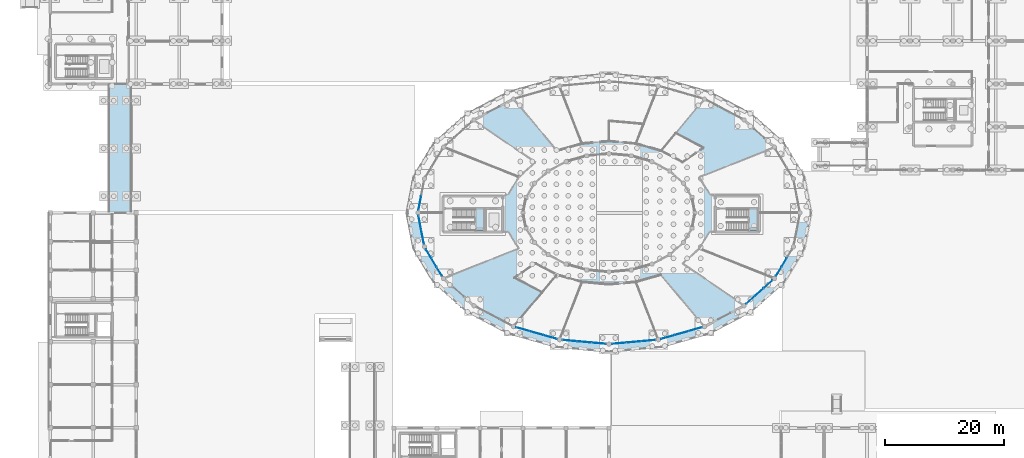
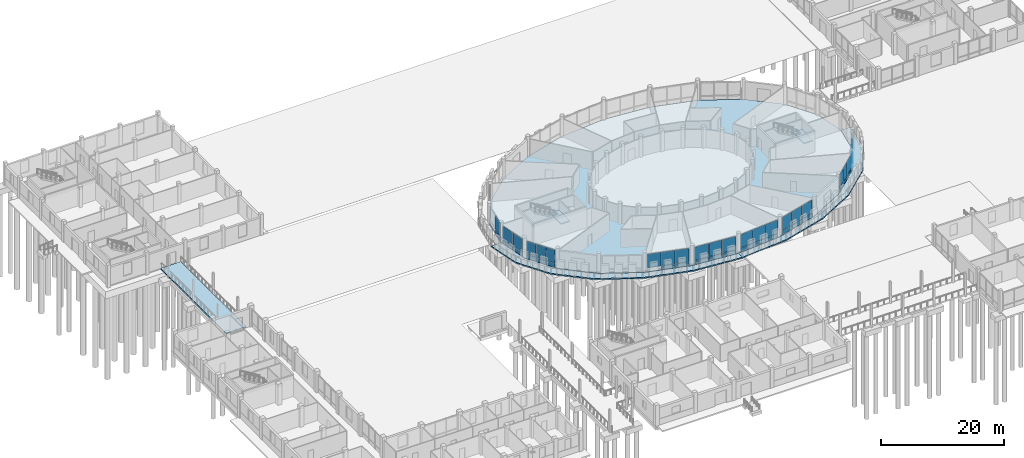
# One storey, part 66 of 98: 45 plates, 6 slabs, 11 elements without a shape of their own.
"""IFC4 building model written with IfcOpenShell, lengths in metres."""

import ifcopenshell
import ifcopenshell.guid

model = None  # the IFC model being written
_history = None  # IfcOwnerHistory: only IFC2X3 demands one
_inside = {}  # id of a spatial element -> (the spatial element, [elements in it])
_under = {}  # id of a project, library or spatial element -> (it, [spatial elements below it])
_declared = {}  # id of a project -> (the project, [libraries it declares])
_typed = {}  # id of a type object -> (the type object, [elements of that type])
_made_of = {}  # id of a material, layer set ... -> (it, [elements and type objects made of it])


def new_model(schema):
    """Start an empty IFC model of exactly this schema.

    Asked for "IFC4X3", IfcOpenShell would pick the latest addendum, in which some entities
    have other attributes; the version numbers below select the first issue.
    IFC2X3 requires an IfcOwnerHistory on every rooted entity: one is made here for all.
    """
    global model, _history
    if schema == "IFC4X3":
        model = ifcopenshell.file(schema_version=(4, 3, 0, 0))
    else:
        model = ifcopenshell.file(schema=schema)
    _inside.clear()
    _under.clear()
    _declared.clear()
    _typed.clear()
    _made_of.clear()
    _history = None
    if model.schema == "IFC2X3":
        org = make("IfcOrganization", Name="unknown")
        user = make(
            "IfcPersonAndOrganization",
            ThePerson=make("IfcPerson", FamilyName="unknown"),
            TheOrganization=org,
        )
        app = make(
            "IfcApplication",
            ApplicationDeveloper=org,
            Version="unknown",
            ApplicationFullName="unknown",
            ApplicationIdentifier="unknown",
        )
        _history = make(
            "IfcOwnerHistory",
            OwningUser=user,
            OwningApplication=app,
            ChangeAction="ADDED",
            CreationDate=0,
        )
    return model


def make(cls, **values):
    """One entity of the class cls with the attributes given. An attribute that is None is left unset."""
    return model.create_entity(
        cls, **{name: value for name, value in values.items() if value is not None}
    )


def rooted(cls, **values):
    """An entity with a GlobalId (a new one), such as an element, a storey or a relation."""
    return make(cls, GlobalId=ifcopenshell.guid.new(), OwnerHistory=_history, **values)


def si_unit(unit_type, name, prefix=None):
    """IfcSIUnit, for example si_unit("LENGTHUNIT", "METRE", prefix="MILLI")."""
    return make("IfcSIUnit", UnitType=unit_type, Prefix=prefix, Name=name)


def assignment(units):
    """IfcUnitAssignment: the units of a project."""
    return None if units is None else make("IfcUnitAssignment", Units=units)


def point(xyz):
    """IfcCartesianPoint."""
    return None if xyz is None else make("IfcCartesianPoint", Coordinates=xyz)


def direction(xyz):
    """IfcDirection."""
    return None if xyz is None else make("IfcDirection", DirectionRatios=xyz)


def frame(location, z_axis=None, x_axis=None):
    """IfcAxis2Placement3D, a coordinate frame: its origin and axes. An axis left out is left unset."""
    return make(
        "IfcAxis2Placement3D",
        Location=point(location),
        Axis=direction(z_axis),
        RefDirection=direction(x_axis),
    )


def frame_2d(location, x_axis=None):
    """IfcAxis2Placement2D, a coordinate frame in the plane: its origin and x axis."""
    return make(
        "IfcAxis2Placement2D", Location=point(location), RefDirection=direction(x_axis)
    )


def origin():
    """The frame at (0, 0, 0) with its axes left unset."""
    return frame((0.0, 0.0, 0.0))


def origin_2d():
    """The frame at (0, 0) in the plane with its x axis left unset."""
    return frame_2d((0.0, 0.0))


def place(relative_to, where):
    """IfcLocalPlacement: puts the frame where relative to a parent placement (None: the world)."""
    return make(
        "IfcLocalPlacement", PlacementRelTo=relative_to, RelativePlacement=where
    )


def context(
    kind, dimensions, precision=None, world=None, true_north=None, identifier=None
):
    """IfcGeometricRepresentationContext, for example the 3D "Model" context."""
    return make(
        "IfcGeometricRepresentationContext",
        ContextIdentifier=identifier,
        ContextType=kind,
        CoordinateSpaceDimension=dimensions,
        Precision=precision,
        WorldCoordinateSystem=world,
        TrueNorth=true_north,
    )


def subcontext(parent, identifier, kind, view, scale=None):
    """IfcGeometricRepresentationSubContext, for example "Body" below "Model"."""
    return make(
        "IfcGeometricRepresentationSubContext",
        ContextIdentifier=identifier,
        ContextType=kind,
        ParentContext=parent,
        TargetScale=scale,
        TargetView=view,
    )


def project(units=None, contexts=None):
    """IfcProject with its units and contexts."""
    return rooted(
        "IfcProject",
        Name="project",
        RepresentationContexts=contexts,
        UnitsInContext=assignment(units),
    )


def spatial(cls, under=None, at=None, **own):
    """A site, building, storey or space (cls), placed at a placement, below another one or the project."""
    s = rooted(cls, ObjectPlacement=at, **own)
    if under is not None:
        _under.setdefault(under.id(), (under, []))[1].append(s)
    return s


def polyline(points):
    """IfcPolyline through the points."""
    return make("IfcPolyline", Points=[point(p) for p in points])


def profile(cls, at=None, kind="AREA", **sizes):
    """A parametric profile (cls). Its sizes go by their IFC names, for example OverallWidth=200.0."""
    return make(cls, ProfileType=kind, Position=at, **sizes)


def rectangle(**sizes):
    """IfcRectangleProfileDef."""
    return profile("IfcRectangleProfileDef", **sizes)


def outline(outer, holes=None, kind="AREA"):
    """IfcArbitraryClosedProfileDef: a profile drawn as a closed curve; with holes, ...WithVoids."""
    if holes is None:
        return make("IfcArbitraryClosedProfileDef", ProfileType=kind, OuterCurve=outer)
    return make(
        "IfcArbitraryProfileDefWithVoids",
        ProfileType=kind,
        OuterCurve=outer,
        InnerCurves=holes,
    )


def extrude(swept, where, along, depth):
    """IfcExtrudedAreaSolid: the profile swept, set in the frame where, extruded along a direction by depth."""
    return make(
        "IfcExtrudedAreaSolid",
        SweptArea=swept,
        Position=where,
        ExtrudedDirection=direction(along),
        Depth=depth,
    )


def shape(context_of_items, identifier, shape_type, items):
    """IfcShapeRepresentation: the items that make up one representation, for example the "Body"."""
    return make(
        "IfcShapeRepresentation",
        ContextOfItems=context_of_items,
        RepresentationIdentifier=identifier,
        RepresentationType=shape_type,
        Items=items,
    )


def material(Name=None, Category=None):
    """IfcMaterial."""
    return make("IfcMaterial", Name=Name, Category=Category)


def layer(
    of_material, thickness, ventilated=None, Name=None, Category=None, Priority=None
):
    """IfcMaterialLayer: one layer of a wall or slab, of a material (None: an air gap)."""
    return make(
        "IfcMaterialLayer",
        Material=of_material,
        LayerThickness=thickness,
        IsVentilated=ventilated,
        Name=Name,
        Category=Category,
        Priority=Priority,
    )


def layer_set(layers, Name=None):
    """IfcMaterialLayerSet."""
    return make("IfcMaterialLayerSet", MaterialLayers=layers, LayerSetName=Name)


def made_of(thing, what):
    """Note that an element or type object is made of a material, layer set ...; save() writes the relation."""
    if what is not None:
        _made_of.setdefault(what.id(), (what, []))[1].append(thing)
    return thing


def type_object(cls, material=None, **own):
    """A type object (cls), such as IfcWallType, which elements share."""
    return made_of(rooted(cls, **own), material)


def element(
    cls,
    number,
    at=None,
    inside=None,
    cuts=None,
    type_object=None,
    material=None,
    context=None,
    identifier="Body",
    shape_type=None,
    held_by="IfcProductDefinitionShape",
    body=None,
    shapes=None,
    **own,
):
    """One element of the class cls, such as IfcWall. Its Tag is "e" and its number.

    at: its placement. inside: the storey or other place that contains it. cuts: it is an
    opening in that element (IfcRelVoidsElement). A single representation is given by context,
    identifier, shape_type and body (its items); several are given by shapes. held_by: the class
    of the entity that holds the representations. save() writes the other relations.
    """
    e = rooted(cls, Tag="e%d" % number, ObjectPlacement=at, **own)
    if body is not None:
        shapes = [shape(context, identifier, shape_type, body)]
    if shapes is not None:
        e.Representation = make(held_by, Representations=shapes)
    if inside is not None:
        _inside.setdefault(inside.id(), (inside, []))[1].append(e)
    if cuts is not None:
        rooted(
            "IfcRelVoidsElement", RelatingBuildingElement=cuts, RelatedOpeningElement=e
        )
    if type_object is not None:
        _typed.setdefault(type_object.id(), (type_object, []))[1].append(e)
    return made_of(e, material)


def aggregate(whole, parts):
    """IfcRelAggregates: a whole, such as a stair, and the parts it consists of."""
    return rooted("IfcRelAggregates", RelatingObject=whole, RelatedObjects=parts)


def save(model, path):
    """Write the relations noted so far, then the file.

    IfcRelAggregates (storeys below a building ...), IfcRelContainedInSpatialStructure (elements
    in a storey), IfcRelDefinesByType, IfcRelAssociatesMaterial and IfcRelDeclares: one each for
    every whole, place, type object, material and project.
    """
    for whole, parts in _under.values():
        aggregate(whole, parts)
    for where, things in _inside.values():
        rooted(
            "IfcRelContainedInSpatialStructure",
            RelatedElements=things,
            RelatingStructure=where,
        )
    for kind, things in _typed.values():
        rooted("IfcRelDefinesByType", RelatedObjects=things, RelatingType=kind)
    for what, things in _made_of.values():
        rooted("IfcRelAssociatesMaterial", RelatedObjects=things, RelatingMaterial=what)
    for by, libraries in _declared.values():
        rooted("IfcRelDeclares", RelatingContext=by, RelatedDefinitions=libraries)
    model.write(path)


model = new_model("IFC4")

# Units and contexts
model_context = context("Model", 3, precision=1e-05, world=origin(), true_north=direction((0.0, 1.0)))
body_context = subcontext(model_context, "Body", "Model", "MODEL_VIEW")
ifc_project = project(units=[si_unit("LENGTHUNIT", "METRE"), si_unit("AREAUNIT", "SQUARE_METRE"), si_unit("VOLUMEUNIT", "CUBIC_METRE"), si_unit("PLANEANGLEUNIT", "RADIAN"), si_unit("MASSUNIT", "GRAM", prefix="KILO")], contexts=[model_context])

# Site, building, storey
site_placement = place(None, origin())
site = spatial("IfcSite", under=ifc_project, at=site_placement, CompositionType="ELEMENT")
building_placement = place(site_placement, origin())
building = spatial("IfcBuilding", under=site, at=building_placement, Name="Zornivar Specialist Clinic", CompositionType="ELEMENT")
storey_placement = place(building_placement, origin())
storey = spatial("IfcBuildingStorey", under=building, at=storey_placement, Name="L00", CompositionType="ELEMENT", Elevation=0.0)

# Curtain wall, plates
ifc_material_1 = material(Name="Aluminium and Low-E Glass Curtain Wall", Category="aluminium")
curtain_wall_type = type_object("IfcCurtainWallType", Name="CW-DRUM-FACET", PredefinedType="NOTDEFINED", material=ifc_material_1)
curtain_wall_1_placement = place(storey_placement, origin())
curtain_wall_1 = element("IfcCurtainWall", 1, at=curtain_wall_1_placement, inside=storey, type_object=curtain_wall_type, Name="cw:V1:L00:c12", PredefinedType="NOTDEFINED")
ifc_material_2 = material(Name="Insulated Bronze Spandrel Panel")
ifc_layer_1 = layer(ifc_material_2, 0.048095703125)
ifc_layer_set_1 = layer_set([ifc_layer_1], Name="Insulated Bronze Spandrel Panel")
plate_type_1 = type_object("IfcPlateType", Name="CWP-SPN-A", PredefinedType="CURTAIN_PANEL", material=ifc_layer_set_1)
plate_1_placement = place(storey_placement, frame((61.91796875, 55.94091796875, 0.030029296875), z_axis=(0.0, 0.0, 1.0), x_axis=(0.187896976838, -0.982188742602, 0.0)))
plate_1 = element("IfcPlate", 2, at=plate_1_placement, type_object=plate_type_1, Name="cw:V1:L00:c12:spn:0", PredefinedType="CURTAIN_PANEL", context=body_context, shape_type="SweptSolid", body=[
    extrude(rectangle(XDim=2.34912109375, YDim=0.048095703125, at=origin_2d()), origin(), (0.0, 0.0, 1.0), 0.7900390625),
])
plate_2_placement = place(storey_placement, frame((62.373046875, 53.56494140625, 0.030029296875), z_axis=(0.0, 0.0, 1.0), x_axis=(0.187896976838, -0.982188742602, 0.0)))
plate_2 = element("IfcPlate", 3, at=plate_2_placement, type_object=plate_type_1, Name="cw:V1:L00:c12:spn:1", PredefinedType="CURTAIN_PANEL", context=body_context, shape_type="SweptSolid", body=[
    extrude(rectangle(XDim=2.34912109375, YDim=0.048095703125, at=origin_2d()), origin(), (0.0, 0.0, 1.0), 0.7900390625),
])

curtain_wall_2_placement = place(storey_placement, origin())
curtain_wall_2 = element("IfcCurtainWall", 4, at=curtain_wall_2_placement, inside=storey, type_object=curtain_wall_type, Name="cw:V1:L00:c18", PredefinedType="NOTDEFINED")
plate_3_placement = place(storey_placement, frame((95.299072265625, 35.75390625, 0.030029296875), z_axis=(0.0, 0.0, 1.0), x_axis=(0.995932792393, 0.09009923993, 0.0)))
plate_3 = element("IfcPlate", 5, at=plate_3_placement, type_object=plate_type_1, Name="cw:V1:L00:c18:spn:0", PredefinedType="CURTAIN_PANEL", context=body_context, shape_type="SweptSolid", body=[
    extrude(rectangle(XDim=2.382080078125, YDim=0.048095703125, at=origin_2d()), origin(), (0.0, 0.0, 1.0), 0.7900390625),
])
plate_4_placement = place(storey_placement, frame((97.740966796875, 35.97509765625, 0.030029296875), z_axis=(0.0, 0.0, 1.0), x_axis=(0.995932792393, 0.09009923993, 0.0)))
plate_4 = element("IfcPlate", 6, at=plate_4_placement, type_object=plate_type_1, Name="cw:V1:L00:c18:spn:1", PredefinedType="CURTAIN_PANEL", context=body_context, shape_type="SweptSolid", body=[
    extrude(rectangle(XDim=2.382080078125, YDim=0.048095703125, at=origin_2d()), origin(), (0.0, 0.0, 1.0), 0.7900390625),
])
plate_5_placement = place(storey_placement, frame((100.18310546875, 36.196044921875, 0.030029296875), z_axis=(0.0, 0.0, 1.0), x_axis=(0.995932792393, 0.09009923993, 0.0)))
plate_5 = element("IfcPlate", 7, at=plate_5_placement, type_object=plate_type_1, Name="cw:V1:L00:c18:spn:2", PredefinedType="CURTAIN_PANEL", context=body_context, shape_type="SweptSolid", body=[
    extrude(rectangle(XDim=2.382080078125, YDim=0.048095703125, at=origin_2d()), origin(), (0.0, 0.0, 1.0), 0.7900390625),
])

curtain_wall_3_placement = place(storey_placement, origin())
curtain_wall_3 = element("IfcCurtainWall", 8, at=curtain_wall_3_placement, inside=storey, type_object=curtain_wall_type, Name="cw:V1:L00:c13", PredefinedType="NOTDEFINED")
ifc_material_3 = material(Name="Insulated Bronze Spandrel Panel")
ifc_layer_2 = layer(ifc_material_3, 0.048095703125)
ifc_layer_set_2 = layer_set([ifc_layer_2], Name="Insulated Bronze Spandrel Panel")
plate_type_2 = type_object("IfcPlateType", Name="CWP-SPN-B", PredefinedType="CURTAIN_PANEL", material=ifc_layer_set_2)
plate_6_placement = place(storey_placement, frame((63.387939453125, 50.7470703125, 0.030029296875), z_axis=(0.0, 0.0, 1.0), x_axis=(0.516127401954, -0.856511824175, 0.0)))
plate_6 = element("IfcPlate", 9, at=plate_6_placement, type_object=plate_type_2, Name="cw:V1:L00:c13:spn:0", PredefinedType="CURTAIN_PANEL", context=body_context, shape_type="SweptSolid", body=[
    extrude(rectangle(XDim=1.675048828125, YDim=0.048095703125, at=origin_2d()), origin(), (0.0, 0.0, 1.0), 0.7900390625),
])
plate_7_placement = place(storey_placement, frame((64.2880859375, 49.2529296875, 0.030029296875), z_axis=(0.0, 0.0, 1.0), x_axis=(0.516127401954, -0.856511824175, 0.0)))
plate_7 = element("IfcPlate", 10, at=plate_7_placement, type_object=plate_type_2, Name="cw:V1:L00:c13:spn:1", PredefinedType="CURTAIN_PANEL", context=body_context, shape_type="SweptSolid", body=[
    extrude(rectangle(XDim=1.675048828125, YDim=0.048095703125, at=origin_2d()), origin(), (0.0, 0.0, 1.0), 0.7900390625),
])
plate_8_placement = place(storey_placement, frame((65.18896484375, 47.758056640625, 0.030029296875), z_axis=(0.0, 0.0, 1.0), x_axis=(0.516127401954, -0.856511824175, 0.0)))
plate_8 = element("IfcPlate", 11, at=plate_8_placement, type_object=plate_type_2, Name="cw:V1:L00:c13:spn:2", PredefinedType="CURTAIN_PANEL", context=body_context, shape_type="SweptSolid", body=[
    extrude(rectangle(XDim=1.675048828125, YDim=0.048095703125, at=origin_2d()), origin(), (0.0, 0.0, 1.0), 0.7900390625),
])

curtain_wall_4_placement = place(storey_placement, origin())
curtain_wall_4 = element("IfcCurtainWall", 12, at=curtain_wall_4_placement, inside=storey, type_object=curtain_wall_type, Name="cw:V1:L00:c19", PredefinedType="NOTDEFINED")
plate_9_placement = place(storey_placement, frame((103.47607421875, 36.802978515625, 0.030029296875), z_axis=(0.0, 0.0, 1.0), x_axis=(0.961761244933, 0.273889225319, 0.0)))
plate_9 = element("IfcPlate", 13, at=plate_9_placement, type_object=plate_type_2, Name="cw:V1:L00:c19:spn:0", PredefinedType="CURTAIN_PANEL", context=body_context, shape_type="SweptSolid", body=[
    extrude(rectangle(XDim=2.284912109375, YDim=0.048095703125, at=origin_2d()), origin(), (0.0, 0.0, 1.0), 0.7900390625),
])
plate_10_placement = place(storey_placement, frame((105.740966796875, 37.447998046875, 0.030029296875), z_axis=(0.0, 0.0, 1.0), x_axis=(0.961761244933, 0.273889225319, 0.0)))
plate_10 = element("IfcPlate", 14, at=plate_10_placement, type_object=plate_type_2, Name="cw:V1:L00:c19:spn:1", PredefinedType="CURTAIN_PANEL", context=body_context, shape_type="SweptSolid", body=[
    extrude(rectangle(XDim=2.284912109375, YDim=0.048095703125, at=origin_2d()), origin(), (0.0, 0.0, 1.0), 0.7900390625),
])
plate_11_placement = place(storey_placement, frame((108.006103515625, 38.093017578125, 0.030029296875), z_axis=(0.0, 0.0, 1.0), x_axis=(0.961761244933, 0.273889225319, 0.0)))
plate_11 = element("IfcPlate", 15, at=plate_11_placement, type_object=plate_type_2, Name="cw:V1:L00:c19:spn:2", PredefinedType="CURTAIN_PANEL", context=body_context, shape_type="SweptSolid", body=[
    extrude(rectangle(XDim=2.284912109375, YDim=0.048095703125, at=origin_2d()), origin(), (0.0, 0.0, 1.0), 0.7900390625),
])

curtain_wall_5_placement = place(storey_placement, origin())
curtain_wall_5 = element("IfcCurtainWall", 16, at=curtain_wall_5_placement, inside=storey, type_object=curtain_wall_type, Name="cw:V1:L00:c21", PredefinedType="NOTDEFINED")
ifc_material_4 = material(Name="Insulated Limestone-Faced Spandrel Panel", Category="masonry")
ifc_layer_3 = layer(ifc_material_4, 0.05810546875)
ifc_layer_set_3 = layer_set([ifc_layer_3], Name="Insulated Limestone-Faced Spandrel Panel")
plate_type_3 = type_object("IfcPlateType", Name="CWP-SPN-D", PredefinedType="CURTAIN_PANEL", material=ifc_layer_set_3)
plate_12_placement = place(storey_placement, frame((117.31298828125, 43.01708984375, 0.030029296875), z_axis=(0.0, 0.0, 1.0), x_axis=(0.744880599036, 0.667197791648, 0.0)))
plate_12 = element("IfcPlate", 17, at=plate_12_placement, type_object=plate_type_3, Name="cw:V1:L00:c21:spn:0", PredefinedType="CURTAIN_PANEL", context=body_context, shape_type="SweptSolid", body=[
    extrude(rectangle(XDim=1.885986328125, YDim=0.05810546875, at=origin_2d()), origin(), (0.0, 0.0, 1.0), 0.7900390625),
])
plate_13_placement = place(storey_placement, frame((118.77001953125, 44.322021484375, 0.030029296875), z_axis=(0.0, 0.0, 1.0), x_axis=(0.744880599036, 0.667197791648, 0.0)))
plate_13 = element("IfcPlate", 18, at=plate_13_placement, type_object=plate_type_3, Name="cw:V1:L00:c21:spn:1", PredefinedType="CURTAIN_PANEL", context=body_context, shape_type="SweptSolid", body=[
    extrude(rectangle(XDim=1.885986328125, YDim=0.05810546875, at=origin_2d()), origin(), (0.0, 0.0, 1.0), 0.7900390625),
])
plate_14_placement = place(storey_placement, frame((120.22705078125, 45.626953125, 0.030029296875), z_axis=(0.0, 0.0, 1.0), x_axis=(0.744880599036, 0.667197791648, 0.0)))
plate_14 = element("IfcPlate", 19, at=plate_14_placement, type_object=plate_type_3, Name="cw:V1:L00:c21:spn:2", PredefinedType="CURTAIN_PANEL", context=body_context, shape_type="SweptSolid", body=[
    extrude(rectangle(XDim=1.885009765625, YDim=0.05810546875, at=origin_2d()), origin(), (0.0, 0.0, 1.0), 0.7900390625),
])

curtain_wall_6_placement = place(storey_placement, origin())
curtain_wall_6 = element("IfcCurtainWall", 20, at=curtain_wall_6_placement, inside=storey, type_object=curtain_wall_type, Name="cw:V1:L00:c16", PredefinedType="NOTDEFINED")
ifc_material_5 = material(Name="Insulated Bronze Spandrel Panel")
ifc_layer_4 = layer(ifc_material_5, 0.0458984375)
ifc_layer_set_4 = layer_set([ifc_layer_4], Name="Insulated Bronze Spandrel Panel")
plate_type_4 = type_object("IfcPlateType", Name="CWP-SPN-E", PredefinedType="CURTAIN_PANEL", material=ifc_layer_set_4)
plate_15_placement = place(storey_placement, frame((81.458984375, 37.448974609375, 0.030029296875), z_axis=(0.0, 0.0, 1.0), x_axis=(0.961761244933, -0.273889225319, 0.0)))
plate_15 = element("IfcPlate", 21, at=plate_15_placement, type_object=plate_type_4, Name="cw:V1:L00:c16:spn:1", PredefinedType="CURTAIN_PANEL", context=body_context, shape_type="SweptSolid", body=[
    extrude(rectangle(XDim=2.284912109375, YDim=0.0458984375, at=origin_2d()), origin(), (0.0, 0.0, 1.0), 0.7900390625),
])
plate_16_placement = place(storey_placement, frame((83.72412109375, 36.803955078125, 0.030029296875), z_axis=(0.0, 0.0, 1.0), x_axis=(0.961761244933, -0.273889225319, 0.0)))
plate_16 = element("IfcPlate", 22, at=plate_16_placement, type_object=plate_type_4, Name="cw:V1:L00:c16:spn:2", PredefinedType="CURTAIN_PANEL", context=body_context, shape_type="SweptSolid", body=[
    extrude(rectangle(XDim=2.284912109375, YDim=0.0458984375, at=origin_2d()), origin(), (0.0, 0.0, 1.0), 0.7900390625),
])

curtain_wall_7_placement = place(storey_placement, origin())
curtain_wall_7 = element("IfcCurtainWall", 23, at=curtain_wall_7_placement, inside=storey, type_object=curtain_wall_type, Name="cw:V1:L00:c22", PredefinedType="NOTDEFINED")
plate_17_placement = place(storey_placement, frame((122.010986328125, 47.759033203125, 0.030029296875), z_axis=(0.0, 0.0, 1.0), x_axis=(0.516127401954, 0.856511824175, 0.0)))
plate_17 = element("IfcPlate", 24, at=plate_17_placement, type_object=plate_type_4, Name="cw:V1:L00:c22:spn:0", PredefinedType="CURTAIN_PANEL", context=body_context, shape_type="SweptSolid", body=[
    extrude(rectangle(XDim=1.675048828125, YDim=0.0458984375, at=origin_2d()), origin(), (0.0, 0.0, 1.0), 0.7900390625),
])
plate_18_placement = place(storey_placement, frame((122.910888671875, 49.2529296875, 0.030029296875), z_axis=(0.0, 0.0, 1.0), x_axis=(0.516127401954, 0.856511824175, 0.0)))
plate_18 = element("IfcPlate", 25, at=plate_18_placement, type_object=plate_type_4, Name="cw:V1:L00:c22:spn:1", PredefinedType="CURTAIN_PANEL", context=body_context, shape_type="SweptSolid", body=[
    extrude(rectangle(XDim=1.675048828125, YDim=0.0458984375, at=origin_2d()), origin(), (0.0, 0.0, 1.0), 0.7900390625),
])

# Curtain wall, plate
curtain_wall_8_placement = place(storey_placement, origin())
curtain_wall_8 = element("IfcCurtainWall", 26, at=curtain_wall_8_placement, inside=storey, type_object=curtain_wall_type, Name="cw:V1:L00:c11", PredefinedType="NOTDEFINED")
ifc_material_6 = material(Name="Insulated Terracotta Spandrel Panel", Category="masonry")
ifc_layer_5 = layer(ifc_material_6, 0.05810546875)
ifc_layer_set_5 = layer_set([ifc_layer_5], Name="Insulated Terracotta Spandrel Panel")
plate_type_5 = type_object("IfcPlateType", Name="CWP-SPN-F", PredefinedType="CURTAIN_PANEL", material=ifc_layer_set_5)
plate_19_placement = place(storey_placement, frame((61.9169921875, 59.259033203125, 0.030029296875), z_axis=(0.0, 0.0, 1.0), x_axis=(-0.187896976838, -0.982188742602, 0.0)))
plate_19 = element("IfcPlate", 27, at=plate_19_placement, type_object=plate_type_5, Name="cw:V1:L00:c11:spn:1", PredefinedType="CURTAIN_PANEL", context=body_context, shape_type="SweptSolid", body=[
    extrude(rectangle(XDim=2.34912109375, YDim=0.05810546875, at=origin_2d()), origin(), (0.0, 0.0, 1.0), 0.7900390625),
])

# Curtain wall, plates
curtain_wall_9_placement = place(storey_placement, origin())
curtain_wall_9 = element("IfcCurtainWall", 28, at=curtain_wall_9_placement, inside=storey, type_object=curtain_wall_type, Name="cw:V1:L00:c17", PredefinedType="NOTDEFINED")
plate_20_placement = place(storey_placement, frame((87.01708984375, 36.196044921875, 0.030029296875), z_axis=(0.0, 0.0, 1.0), x_axis=(0.995932792393, -0.09009923993, 0.0)))
plate_20 = element("IfcPlate", 29, at=plate_20_placement, type_object=plate_type_5, Name="cw:V1:L00:c17:spn:0", PredefinedType="CURTAIN_PANEL", context=body_context, shape_type="SweptSolid", body=[
    extrude(rectangle(XDim=2.382080078125, YDim=0.05810546875, at=origin_2d()), origin(), (0.0, 0.0, 1.0), 0.7900390625),
])
plate_21_placement = place(storey_placement, frame((89.458984375, 35.97509765625, 0.030029296875), z_axis=(0.0, 0.0, 1.0), x_axis=(0.995932792393, -0.09009923993, 0.0)))
plate_21 = element("IfcPlate", 30, at=plate_21_placement, type_object=plate_type_5, Name="cw:V1:L00:c17:spn:1", PredefinedType="CURTAIN_PANEL", context=body_context, shape_type="SweptSolid", body=[
    extrude(rectangle(XDim=2.382080078125, YDim=0.05810546875, at=origin_2d()), origin(), (0.0, 0.0, 1.0), 0.7900390625),
])
plate_22_placement = place(storey_placement, frame((91.90087890625, 35.75390625, 0.030029296875), z_axis=(0.0, 0.0, 1.0), x_axis=(0.995932792393, -0.09009923993, 0.0)))
plate_22 = element("IfcPlate", 31, at=plate_22_placement, type_object=plate_type_5, Name="cw:V1:L00:c17:spn:2", PredefinedType="CURTAIN_PANEL", context=body_context, shape_type="SweptSolid", body=[
    extrude(rectangle(XDim=2.382080078125, YDim=0.05810546875, at=origin_2d()), origin(), (0.0, 0.0, 1.0), 0.7900390625),
])

# Plate
ifc_material_7 = material(Name="Triple Low-E Vision Glass", Category="glass")
ifc_layer_6 = layer(ifc_material_7, 0.035888671875)
ifc_layer_set_6 = layer_set([ifc_layer_6], Name="Triple Low-E Vision Glass")
plate_type_6 = type_object("IfcPlateType", Name="CWP-VIS-B", PredefinedType="CURTAIN_PANEL", material=ifc_layer_set_6)
plate_23_placement = place(storey_placement, frame((61.9169921875, 59.259033203125, 0.884521484375), z_axis=(0.0, 0.0, 1.0), x_axis=(-0.187896976838, -0.982188742602, 0.0)))
plate_23 = element("IfcPlate", 32, at=plate_23_placement, type_object=plate_type_6, Name="cw:V1:L00:c11:vis:1", PredefinedType="CURTAIN_PANEL", context=body_context, shape_type="SweptSolid", body=[
    extrude(rectangle(XDim=2.34912109375, YDim=0.035888671875, at=origin_2d()), origin(), (0.0, 0.0, 1.0), 2.625),
])

aggregate(curtain_wall_8, [plate_19, plate_23])

plate_24_placement = place(storey_placement, frame((117.31298828125, 43.01708984375, 0.884521484375), z_axis=(0.0, 0.0, 1.0), x_axis=(0.744880599036, 0.667197791648, 0.0)))
plate_24 = element("IfcPlate", 33, at=plate_24_placement, type_object=plate_type_6, Name="cw:V1:L00:c21:vis:0", PredefinedType="CURTAIN_PANEL", context=body_context, shape_type="SweptSolid", body=[
    extrude(rectangle(XDim=1.885986328125, YDim=0.035888671875, at=origin_2d()), origin(), (0.0, 0.0, 1.0), 2.625),
])

plate_25_placement = place(storey_placement, frame((118.77001953125, 44.322021484375, 0.884521484375), z_axis=(0.0, 0.0, 1.0), x_axis=(0.744880599036, 0.667197791648, 0.0)))
plate_25 = element("IfcPlate", 34, at=plate_25_placement, type_object=plate_type_6, Name="cw:V1:L00:c21:vis:1", PredefinedType="CURTAIN_PANEL", context=body_context, shape_type="SweptSolid", body=[
    extrude(rectangle(XDim=1.885986328125, YDim=0.035888671875, at=origin_2d()), origin(), (0.0, 0.0, 1.0), 2.625),
])

plate_26_placement = place(storey_placement, frame((120.22705078125, 45.626953125, 0.884521484375), z_axis=(0.0, 0.0, 1.0), x_axis=(0.744880599036, 0.667197791648, 0.0)))
plate_26 = element("IfcPlate", 35, at=plate_26_placement, type_object=plate_type_6, Name="cw:V1:L00:c21:vis:2", PredefinedType="CURTAIN_PANEL", context=body_context, shape_type="SweptSolid", body=[
    extrude(rectangle(XDim=1.885009765625, YDim=0.035888671875, at=origin_2d()), origin(), (0.0, 0.0, 1.0), 2.625),
])

aggregate(curtain_wall_5, [plate_12, plate_24, plate_13, plate_25, plate_14, plate_26])

ifc_material_8 = material(Name="Triple Low-E Vision Glass", Category="glass")
ifc_layer_7 = layer(ifc_material_8, 0.035888671875)
ifc_layer_set_7 = layer_set([ifc_layer_7], Name="Triple Low-E Vision Glass")
plate_type_7 = type_object("IfcPlateType", Name="CWP-VIS-C", PredefinedType="CURTAIN_PANEL", material=ifc_layer_set_7)
plate_27_placement = place(storey_placement, frame((61.91796875, 55.94091796875, 0.884521484375), z_axis=(0.0, 0.0, 1.0), x_axis=(0.187896976838, -0.982188742602, 0.0)))
plate_27 = element("IfcPlate", 36, at=plate_27_placement, type_object=plate_type_7, Name="cw:V1:L00:c12:vis:0", PredefinedType="CURTAIN_PANEL", context=body_context, shape_type="SweptSolid", body=[
    extrude(rectangle(XDim=2.34912109375, YDim=0.035888671875, at=origin_2d()), origin(), (0.0, 0.0, 1.0), 2.625),
])

plate_28_placement = place(storey_placement, frame((62.373046875, 53.56494140625, 0.884521484375), z_axis=(0.0, 0.0, 1.0), x_axis=(0.187896976838, -0.982188742602, 0.0)))
plate_28 = element("IfcPlate", 37, at=plate_28_placement, type_object=plate_type_7, Name="cw:V1:L00:c12:vis:1", PredefinedType="CURTAIN_PANEL", context=body_context, shape_type="SweptSolid", body=[
    extrude(rectangle(XDim=2.34912109375, YDim=0.035888671875, at=origin_2d()), origin(), (0.0, 0.0, 1.0), 2.625),
])

aggregate(curtain_wall_1, [plate_1, plate_27, plate_2, plate_28])

plate_29_placement = place(storey_placement, frame((122.010986328125, 47.759033203125, 0.884521484375), z_axis=(0.0, 0.0, 1.0), x_axis=(0.516127401954, 0.856511824175, 0.0)))
plate_29 = element("IfcPlate", 38, at=plate_29_placement, type_object=plate_type_7, Name="cw:V1:L00:c22:vis:0", PredefinedType="CURTAIN_PANEL", context=body_context, shape_type="SweptSolid", body=[
    extrude(rectangle(XDim=1.675048828125, YDim=0.035888671875, at=origin_2d()), origin(), (0.0, 0.0, 1.0), 2.625),
])

plate_30_placement = place(storey_placement, frame((122.910888671875, 49.2529296875, 0.884521484375), z_axis=(0.0, 0.0, 1.0), x_axis=(0.516127401954, 0.856511824175, 0.0)))
plate_30 = element("IfcPlate", 39, at=plate_30_placement, type_object=plate_type_7, Name="cw:V1:L00:c22:vis:1", PredefinedType="CURTAIN_PANEL", context=body_context, shape_type="SweptSolid", body=[
    extrude(rectangle(XDim=1.675048828125, YDim=0.035888671875, at=origin_2d()), origin(), (0.0, 0.0, 1.0), 2.625),
])

aggregate(curtain_wall_7, [plate_17, plate_29, plate_18, plate_30])

ifc_material_9 = material(Name="Triple Low-E Vision Glass", Category="glass")
ifc_layer_8 = layer(ifc_material_9, 0.0380859375)
ifc_layer_set_8 = layer_set([ifc_layer_8], Name="Triple Low-E Vision Glass")
plate_type_8 = type_object("IfcPlateType", Name="CWP-VIS-D", PredefinedType="CURTAIN_PANEL", material=ifc_layer_set_8)
plate_31_placement = place(storey_placement, frame((63.387939453125, 50.7470703125, 0.884521484375), z_axis=(0.0, 0.0, 1.0), x_axis=(0.516127401954, -0.856511824175, 0.0)))
plate_31 = element("IfcPlate", 40, at=plate_31_placement, type_object=plate_type_8, Name="cw:V1:L00:c13:vis:0", PredefinedType="CURTAIN_PANEL", context=body_context, shape_type="SweptSolid", body=[
    extrude(rectangle(XDim=1.675048828125, YDim=0.0380859375, at=origin_2d()), origin(), (0.0, 0.0, 1.0), 2.625),
])

plate_32_placement = place(storey_placement, frame((64.2880859375, 49.2529296875, 0.884521484375), z_axis=(0.0, 0.0, 1.0), x_axis=(0.516127401954, -0.856511824175, 0.0)))
plate_32 = element("IfcPlate", 41, at=plate_32_placement, type_object=plate_type_8, Name="cw:V1:L00:c13:vis:1", PredefinedType="CURTAIN_PANEL", context=body_context, shape_type="SweptSolid", body=[
    extrude(rectangle(XDim=1.675048828125, YDim=0.0380859375, at=origin_2d()), origin(), (0.0, 0.0, 1.0), 2.625),
])

plate_33_placement = place(storey_placement, frame((65.18896484375, 47.758056640625, 0.884521484375), z_axis=(0.0, 0.0, 1.0), x_axis=(0.516127401954, -0.856511824175, 0.0)))
plate_33 = element("IfcPlate", 42, at=plate_33_placement, type_object=plate_type_8, Name="cw:V1:L00:c13:vis:2", PredefinedType="CURTAIN_PANEL", context=body_context, shape_type="SweptSolid", body=[
    extrude(rectangle(XDim=1.675048828125, YDim=0.0380859375, at=origin_2d()), origin(), (0.0, 0.0, 1.0), 2.625),
])

aggregate(curtain_wall_3, [plate_6, plate_31, plate_7, plate_32, plate_8, plate_33])

ifc_material_10 = material(Name="Triple Low-E Vision Glass", Category="glass")
ifc_layer_9 = layer(ifc_material_10, 0.035888671875)
ifc_layer_set_9 = layer_set([ifc_layer_9], Name="Triple Low-E Vision Glass")
plate_type_9 = type_object("IfcPlateType", Name="CWP-VIS-G", PredefinedType="CURTAIN_PANEL", material=ifc_layer_set_9)
plate_34_placement = place(storey_placement, frame((79.194091796875, 38.093994140625, 0.884521484375), z_axis=(0.0, 0.0, 1.0), x_axis=(0.961761244933, -0.273889225319, 0.0)))
plate_34 = element("IfcPlate", 43, at=plate_34_placement, type_object=plate_type_9, Name="cw:V1:L00:c16:vis:0", PredefinedType="CURTAIN_PANEL", context=body_context, shape_type="SweptSolid", body=[
    extrude(rectangle(XDim=2.284912109375, YDim=0.035888671875, at=origin_2d()), origin(), (0.0, 0.0, 1.0), 2.625),
])

plate_35_placement = place(storey_placement, frame((81.458984375, 37.448974609375, 0.884521484375), z_axis=(0.0, 0.0, 1.0), x_axis=(0.961761244933, -0.273889225319, 0.0)))
plate_35 = element("IfcPlate", 44, at=plate_35_placement, type_object=plate_type_9, Name="cw:V1:L00:c16:vis:1", PredefinedType="CURTAIN_PANEL", context=body_context, shape_type="SweptSolid", body=[
    extrude(rectangle(XDim=2.284912109375, YDim=0.035888671875, at=origin_2d()), origin(), (0.0, 0.0, 1.0), 2.625),
])

plate_36_placement = place(storey_placement, frame((83.72412109375, 36.803955078125, 0.884521484375), z_axis=(0.0, 0.0, 1.0), x_axis=(0.961761244933, -0.273889225319, 0.0)))
plate_36 = element("IfcPlate", 45, at=plate_36_placement, type_object=plate_type_9, Name="cw:V1:L00:c16:vis:2", PredefinedType="CURTAIN_PANEL", context=body_context, shape_type="SweptSolid", body=[
    extrude(rectangle(XDim=2.284912109375, YDim=0.035888671875, at=origin_2d()), origin(), (0.0, 0.0, 1.0), 2.625),
])

aggregate(curtain_wall_6, [plate_34, plate_15, plate_35, plate_16, plate_36])

ifc_material_11 = material(Name="Triple Low-E Vision Glass", Category="glass")
ifc_layer_10 = layer(ifc_material_11, 0.033935546875)
ifc_layer_set_10 = layer_set([ifc_layer_10], Name="Triple Low-E Vision Glass")
plate_type_10 = type_object("IfcPlateType", Name="CWP-VIS-H", PredefinedType="CURTAIN_PANEL", material=ifc_layer_set_10)
plate_37_placement = place(storey_placement, frame((87.01708984375, 36.196044921875, 0.884521484375), z_axis=(0.0, 0.0, 1.0), x_axis=(0.995932792393, -0.09009923993, 0.0)))
plate_37 = element("IfcPlate", 46, at=plate_37_placement, type_object=plate_type_10, Name="cw:V1:L00:c17:vis:0", PredefinedType="CURTAIN_PANEL", context=body_context, shape_type="SweptSolid", body=[
    extrude(rectangle(XDim=2.382080078125, YDim=0.033935546875, at=origin_2d()), origin(), (0.0, 0.0, 1.0), 2.625),
])

plate_38_placement = place(storey_placement, frame((89.458984375, 35.97509765625, 0.884521484375), z_axis=(0.0, 0.0, 1.0), x_axis=(0.995932792393, -0.09009923993, 0.0)))
plate_38 = element("IfcPlate", 47, at=plate_38_placement, type_object=plate_type_10, Name="cw:V1:L00:c17:vis:1", PredefinedType="CURTAIN_PANEL", context=body_context, shape_type="SweptSolid", body=[
    extrude(rectangle(XDim=2.382080078125, YDim=0.033935546875, at=origin_2d()), origin(), (0.0, 0.0, 1.0), 2.625),
])

plate_39_placement = place(storey_placement, frame((91.90087890625, 35.75390625, 0.884521484375), z_axis=(0.0, 0.0, 1.0), x_axis=(0.995932792393, -0.09009923993, 0.0)))
plate_39 = element("IfcPlate", 48, at=plate_39_placement, type_object=plate_type_10, Name="cw:V1:L00:c17:vis:2", PredefinedType="CURTAIN_PANEL", context=body_context, shape_type="SweptSolid", body=[
    extrude(rectangle(XDim=2.382080078125, YDim=0.033935546875, at=origin_2d()), origin(), (0.0, 0.0, 1.0), 2.625),
])

aggregate(curtain_wall_9, [plate_20, plate_37, plate_21, plate_38, plate_22, plate_39])

ifc_material_12 = material(Name="Triple Low-E Vision Glass", Category="glass")
ifc_layer_11 = layer(ifc_material_12, 0.033935546875)
ifc_layer_set_11 = layer_set([ifc_layer_11], Name="Triple Low-E Vision Glass")
plate_type_11 = type_object("IfcPlateType", Name="CWP-VIS-J", PredefinedType="CURTAIN_PANEL", material=ifc_layer_set_11)
plate_40_placement = place(storey_placement, frame((95.299072265625, 35.75390625, 0.884521484375), z_axis=(0.0, 0.0, 1.0), x_axis=(0.995932792393, 0.09009923993, 0.0)))
plate_40 = element("IfcPlate", 49, at=plate_40_placement, type_object=plate_type_11, Name="cw:V1:L00:c18:vis:0", PredefinedType="CURTAIN_PANEL", context=body_context, shape_type="SweptSolid", body=[
    extrude(rectangle(XDim=2.382080078125, YDim=0.033935546875, at=origin_2d()), origin(), (0.0, 0.0, 1.0), 2.625),
])

plate_41_placement = place(storey_placement, frame((97.740966796875, 35.97509765625, 0.884521484375), z_axis=(0.0, 0.0, 1.0), x_axis=(0.995932792393, 0.09009923993, 0.0)))
plate_41 = element("IfcPlate", 50, at=plate_41_placement, type_object=plate_type_11, Name="cw:V1:L00:c18:vis:1", PredefinedType="CURTAIN_PANEL", context=body_context, shape_type="SweptSolid", body=[
    extrude(rectangle(XDim=2.382080078125, YDim=0.033935546875, at=origin_2d()), origin(), (0.0, 0.0, 1.0), 2.625),
])

plate_42_placement = place(storey_placement, frame((100.18310546875, 36.196044921875, 0.884521484375), z_axis=(0.0, 0.0, 1.0), x_axis=(0.995932792393, 0.09009923993, 0.0)))
plate_42 = element("IfcPlate", 51, at=plate_42_placement, type_object=plate_type_11, Name="cw:V1:L00:c18:vis:2", PredefinedType="CURTAIN_PANEL", context=body_context, shape_type="SweptSolid", body=[
    extrude(rectangle(XDim=2.382080078125, YDim=0.033935546875, at=origin_2d()), origin(), (0.0, 0.0, 1.0), 2.625),
])

aggregate(curtain_wall_2, [plate_3, plate_40, plate_4, plate_41, plate_5, plate_42])

ifc_material_13 = material(Name="Solar-Control Wintergarden Glass", Category="glass")
ifc_layer_12 = layer(ifc_material_13, 0.0380859375)
ifc_layer_set_12 = layer_set([ifc_layer_12], Name="Solar-Control Wintergarden Glass")
plate_type_12 = type_object("IfcPlateType", Name="CWP-VIS-L", PredefinedType="CURTAIN_PANEL", material=ifc_layer_set_12)
plate_43_placement = place(storey_placement, frame((103.47607421875, 36.802978515625, 0.884521484375), z_axis=(0.0, 0.0, 1.0), x_axis=(0.961761244933, 0.273889225319, 0.0)))
plate_43 = element("IfcPlate", 52, at=plate_43_placement, type_object=plate_type_12, Name="cw:V1:L00:c19:vis:0", PredefinedType="CURTAIN_PANEL", context=body_context, shape_type="SweptSolid", body=[
    extrude(rectangle(XDim=2.284912109375, YDim=0.0380859375, at=origin_2d()), origin(), (0.0, 0.0, 1.0), 2.625),
])

plate_44_placement = place(storey_placement, frame((105.740966796875, 37.447998046875, 0.884521484375), z_axis=(0.0, 0.0, 1.0), x_axis=(0.961761244933, 0.273889225319, 0.0)))
plate_44 = element("IfcPlate", 53, at=plate_44_placement, type_object=plate_type_12, Name="cw:V1:L00:c19:vis:1", PredefinedType="CURTAIN_PANEL", context=body_context, shape_type="SweptSolid", body=[
    extrude(rectangle(XDim=2.284912109375, YDim=0.0380859375, at=origin_2d()), origin(), (0.0, 0.0, 1.0), 2.625),
])

plate_45_placement = place(storey_placement, frame((108.006103515625, 38.093017578125, 0.884521484375), z_axis=(0.0, 0.0, 1.0), x_axis=(0.961761244933, 0.273889225319, 0.0)))
plate_45 = element("IfcPlate", 54, at=plate_45_placement, type_object=plate_type_12, Name="cw:V1:L00:c19:vis:2", PredefinedType="CURTAIN_PANEL", context=body_context, shape_type="SweptSolid", body=[
    extrude(rectangle(XDim=2.284912109375, YDim=0.0380859375, at=origin_2d()), origin(), (0.0, 0.0, 1.0), 2.625),
])

aggregate(curtain_wall_4, [plate_9, plate_43, plate_10, plate_44, plate_11, plate_45])

# Slabs
ifc_material_14 = material(Name="Concrete C30/37", Category="concrete")
ifc_layer_13 = layer(ifc_material_14, 0.3798828125)
ifc_layer_set_13 = layer_set([ifc_layer_13], Name="Concrete C30/37")
slab_type_1 = type_object("IfcSlabType", Name="SLB-BASE-380", PredefinedType="BASESLAB", material=ifc_layer_set_13)
slab_1_placement = place(storey_placement, frame((0.0, 0.0, -0.3798828125)))
element("IfcSlab", 55, at=slab_1_placement, inside=storey, type_object=slab_type_1, Name="slab:V1:L00:base", PredefinedType="BASESLAB", context=body_context, shape_type="SweptSolid", body=[
    extrude(outline(polyline([(125.60009765625, 57.60009765625), (124.510009765625, 63.2939453125), (121.31298828125, 68.60009765625), (116.22705078125, 73.156005859375), (109.60009765625, 76.653076171875), (101.882080078125, 78.85009765625), (93.60009765625, 79.60009765625), (85.318115234375, 78.85009765625), (77.60009765625, 76.653076171875), (70.972900390625, 73.156005859375), (65.886962890625, 68.60009765625), (62.68994140625, 63.2939453125), (61.60009765625, 57.60009765625), (62.68994140625, 51.906005859375), (65.886962890625, 46.60009765625), (70.972900390625, 42.0439453125), (77.60009765625, 38.547119140625), (85.318115234375, 36.35009765625), (93.60009765625, 35.60009765625), (101.882080078125, 36.35009765625), (109.60009765625, 38.547119140625), (116.22705078125, 42.0439453125), (121.31298828125, 46.60009765625), (124.510009765625, 51.906005859375), (125.60009765625, 57.60009765625)])), origin(), (0.0, 0.0, 1.0), 0.3798828125),
])
ifc_material_15 = material(Name="Concrete C30/37", Category="concrete")
ifc_layer_14 = layer(ifc_material_15, 0.25)
ifc_layer_set_14 = layer_set([ifc_layer_14], Name="Concrete C30/37")
slab_type_2 = type_object("IfcSlabType", Name="SLB-EXT-APRON-250", PredefinedType="FLOOR", material=ifc_layer_set_14)
slab_2_placement = place(storey_placement, frame((0.0, 0.0, -0.25)))
element("IfcSlab", 56, at=slab_2_placement, inside=storey, type_object=slab_type_2, Name="slab:BR2:L00:walk", PredefinedType="FLOOR", context=body_context, shape_type="SweptSolid", body=[
    extrude(outline(polyline([(9.800048828125, 57.719970703125), (13.60009765625, 57.719970703125), (13.60009765625, 79.080078125), (9.800048828125, 79.080078125), (9.800048828125, 57.719970703125)])), origin(), (0.0, 0.0, 1.0), 0.25),
])
ifc_material_16 = material(Name="Concrete C30/37", Category="concrete")
ifc_layer_15 = layer(ifc_material_16, 0.239990234375)
ifc_layer_set_15 = layer_set([ifc_layer_15], Name="Concrete C30/37")
slab_type_3 = type_object("IfcSlabType", Name="SLB-EXT-BALC-240", PredefinedType="FLOOR", material=ifc_layer_set_15)
slab_3_placement = place(storey_placement, frame((0.0, 0.0, -0.239990234375)))
element("IfcSlab", 57, at=slab_3_placement, inside=storey, type_object=slab_type_3, Name="slab:V1:L00:balc:q2", PredefinedType="FLOOR", context=body_context, shape_type="SweptSolid", body=[
    extrude(outline(polyline([(61.60009765625, 57.60009765625), (62.68994140625, 51.906005859375), (65.886962890625, 46.60009765625), (70.972900390625, 42.0439453125), (77.60009765625, 38.547119140625), (85.318115234375, 36.35009765625), (93.60009765625, 35.60009765625), (93.60009765625, 34.280029296875), (84.821044921875, 35.074951171875), (76.639892578125, 37.404052734375), (69.614990234375, 41.110107421875), (64.22412109375, 45.93994140625), (60.8359375, 51.56396484375), (59.679931640625, 57.60009765625), (61.60009765625, 57.60009765625)])), origin(), (0.0, 0.0, 1.0), 0.239990234375),
])
slab_4_placement = place(storey_placement, frame((0.0, 0.0, -0.239990234375)))
element("IfcSlab", 58, at=slab_4_placement, inside=storey, type_object=slab_type_3, Name="slab:V1:L00:balc:q3", PredefinedType="FLOOR", context=body_context, shape_type="SweptSolid", body=[
    extrude(outline(polyline([(93.60009765625, 35.60009765625), (101.882080078125, 36.35009765625), (109.60009765625, 38.547119140625), (116.22705078125, 42.0439453125), (121.31298828125, 46.60009765625), (124.510009765625, 51.906005859375), (125.60009765625, 57.60009765625), (127.52001953125, 57.60009765625), (126.364013671875, 51.56396484375), (122.97607421875, 45.93994140625), (117.5849609375, 41.110107421875), (110.56005859375, 37.404052734375), (102.37890625, 35.074951171875), (93.60009765625, 34.280029296875), (93.60009765625, 35.60009765625)])), origin(), (0.0, 0.0, 1.0), 0.239990234375),
])

# Stair, slab
ifc_material_17 = material(Name="Concrete C30/37", Category="concrete")
stair_type = type_object("IfcStairType", Name="STR-CORE-L00-L01", PredefinedType="HALF_TURN_STAIR", material=ifc_material_17)
stair_1_placement = place(storey_placement, origin())
stair_1 = element("IfcStair", 59, at=stair_1_placement, inside=storey, type_object=stair_type, Name="stair:C3:L00", PredefinedType="HALF_TURN_STAIR")
ifc_material_18 = material(Name="Concrete C30/37", Category="concrete")
ifc_layer_16 = layer(ifc_material_18, 0.2099609375)
ifc_layer_set_16 = layer_set([ifc_layer_16], Name="Concrete C30/37")
slab_type_4 = type_object("IfcSlabType", Name="SLB-LANDING-210", PredefinedType="LANDING", material=ifc_layer_set_16)
slab_5_placement = place(storey_placement, frame((0.0, 0.0, 2.0400390625)))
slab_5 = element("IfcSlab", 60, at=slab_5_placement, type_object=slab_type_4, Name="stair:C3:L00:land", PredefinedType="LANDING", context=body_context, shape_type="SweptSolid", body=[
    extrude(outline(polyline([(71.1201171875, 54.580078125), (72.820068359375, 54.580078125), (72.820068359375, 58.219970703125), (71.1201171875, 58.219970703125), (71.1201171875, 54.580078125)])), origin(), (0.0, 0.0, 1.0), 0.2099609375),
])
aggregate(stair_1, [slab_5])

stair_2_placement = place(storey_placement, origin())
stair_2 = element("IfcStair", 61, at=stair_2_placement, inside=storey, type_object=stair_type, Name="stair:C4:L00", PredefinedType="HALF_TURN_STAIR")
slab_6_placement = place(storey_placement, frame((0.0, 0.0, 2.0400390625)))
slab_6 = element("IfcSlab", 62, at=slab_6_placement, type_object=slab_type_4, Name="stair:C4:L00:land", PredefinedType="LANDING", context=body_context, shape_type="SweptSolid", body=[
    extrude(outline(polyline([(116.919921875, 54.580078125), (118.6201171875, 54.580078125), (118.6201171875, 58.219970703125), (116.919921875, 58.219970703125), (116.919921875, 54.580078125)])), origin(), (0.0, 0.0, 1.0), 0.2099609375),
])
aggregate(stair_2, [slab_6])

save(model, "model.ifc")
